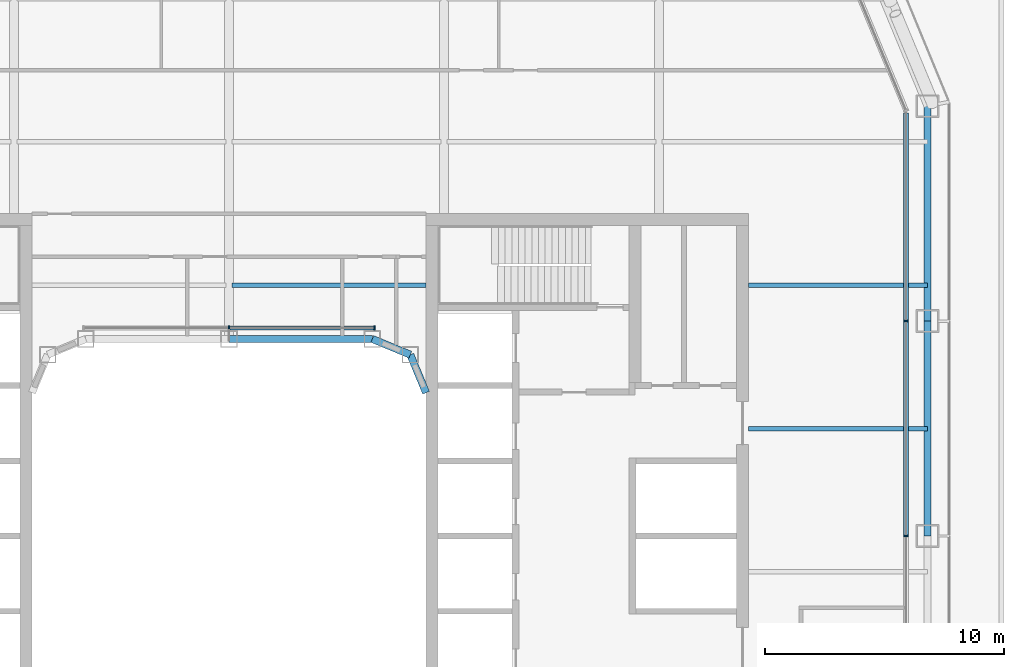
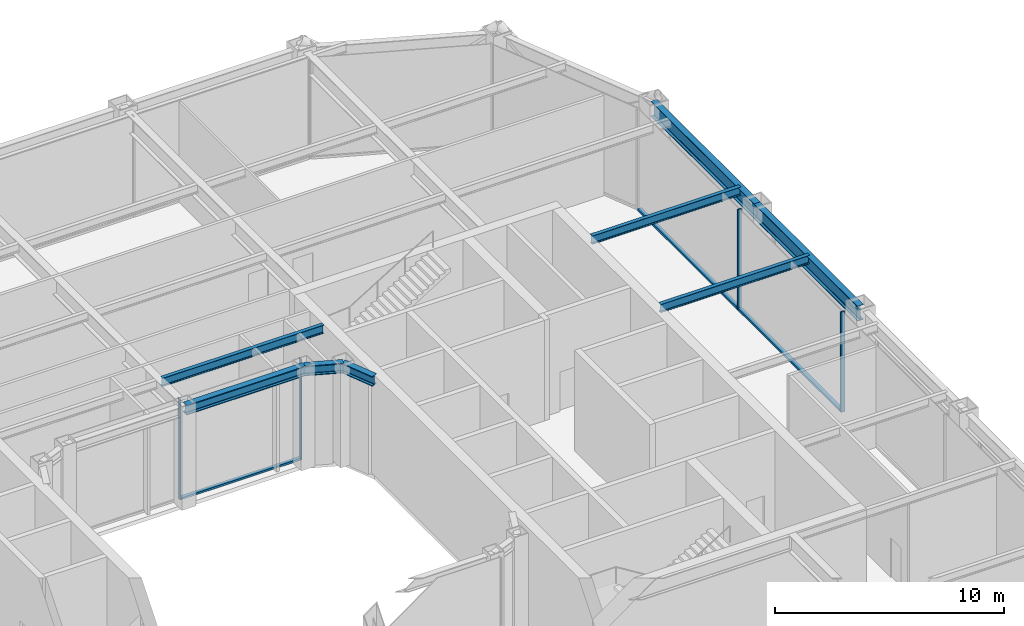
# One storey, part 8 of 21: 8 beams, 7 members, 2 elements without a shape of their own.
"""IFC4 building model written with IfcOpenShell, lengths in metres."""

from ifc_helpers import new_model, si_unit, direction, frame, origin, origin_2d, place, context, subcontext, project, spatial, rectangle, i_section, extrude, material, layer, layer_set, material_profile, profile_set, type_object, element, aggregate, save


model = new_model("IFC4")

# Units and contexts
model_context = context("Model", 3, precision=1e-05, world=origin(), true_north=direction((0.0, 1.0)))
body_context = subcontext(model_context, "Body", "Model", "MODEL_VIEW")
ifc_project = project(units=[si_unit("LENGTHUNIT", "METRE"), si_unit("AREAUNIT", "SQUARE_METRE"), si_unit("VOLUMEUNIT", "CUBIC_METRE"), si_unit("PLANEANGLEUNIT", "RADIAN"), si_unit("MASSUNIT", "GRAM", prefix="KILO")], contexts=[model_context])

# Site, building, storey
site_placement = place(None, origin())
site = spatial("IfcSite", under=ifc_project, at=site_placement, CompositionType="ELEMENT")
building_placement = place(site_placement, origin())
building = spatial("IfcBuilding", under=site, at=building_placement, Name="Siwar Civic Tower", CompositionType="ELEMENT")
storey_placement = place(building_placement, frame((0.0, 0.0, 99.199951171875)))
storey = spatial("IfcBuildingStorey", under=building, at=storey_placement, Name="L21", CompositionType="ELEMENT", Elevation=99.199951171875)

# Curtain wall, members
ifc_material_1 = material(Name="Aluminium and glass", Category="aluminium")
ifc_layer_1 = layer(ifc_material_1, 0.199951171875)
ifc_layer_set_1 = layer_set([ifc_layer_1], Name="Aluminium and glass")
curtain_wall_type_1 = type_object("IfcCurtainWallType", Name="ENV-CW-B", PredefinedType="NOTDEFINED", material=ifc_layer_set_1)
curtain_wall_1_placement = place(storey_placement, origin())
curtain_wall_1 = element("IfcCurtainWall", 1, at=curtain_wall_1_placement, inside=storey, type_object=curtain_wall_type_1, Name="Curtain wall B E", PredefinedType="NOTDEFINED")
ifc_material_2 = material(Name="Aluminium 6063-T6", Category="aluminium")
ifc_material_profile_1 = material_profile(ifc_material_2, rectangle(XDim=0.199951171875, YDim=0.06494140625, at=origin_2d()), Name="AL 200x65")
ifc_profile_set_1 = profile_set([ifc_material_profile_1], Name="Aluminium 6063-T6")
member_type_1 = type_object("IfcMemberType", Name="ENV-MULLION-B", PredefinedType="MULLION", material=ifc_profile_set_1)
member_1_placement = place(storey_placement, frame((28.35009765625, 0.0, 0.0), z_axis=(0.0, 0.0, 1.0), x_axis=(-1.0, 0.0, 0.0)))
member_1 = element("IfcMember", 2, at=member_1_placement, type_object=member_type_1, Name="Mullion B E 3", PredefinedType="MULLION", context=body_context, shape_type="SweptSolid", body=[
    extrude(rectangle(XDim=0.199951171875, YDim=0.06494140625, at=origin_2d()), origin(), (0.0, 0.0, 1.0), 5.35009765625),
])
member_2_placement = place(storey_placement, frame((28.35009765625, 9.0, 0.0), z_axis=(0.0, 0.0, 1.0), x_axis=(-1.0, 0.0, 0.0)))
member_2 = element("IfcMember", 3, at=member_2_placement, type_object=member_type_1, Name="Mullion B E 4", PredefinedType="MULLION", context=body_context, shape_type="SweptSolid", body=[
    extrude(rectangle(XDim=0.199951171875, YDim=0.06494140625, at=origin_2d()), origin(), (0.0, 0.0, 1.0), 5.35009765625),
])

ifc_material_3 = material(Name="Aluminium and glass", Category="aluminium")
ifc_layer_2 = layer(ifc_material_3, 0.179931640625)
ifc_layer_set_2 = layer_set([ifc_layer_2], Name="Aluminium and glass")
curtain_wall_type_2 = type_object("IfcCurtainWallType", Name="ENV-CW-W", PredefinedType="NOTDEFINED", material=ifc_layer_set_2)
curtain_wall_2_placement = place(storey_placement, origin())
curtain_wall_2 = element("IfcCurtainWall", 4, at=curtain_wall_2_placement, inside=storey, type_object=curtain_wall_type_2, Name="Curtain wall W WN", PredefinedType="NOTDEFINED")
ifc_material_4 = material(Name="Aluminium 6063-T6", Category="aluminium")
ifc_material_profile_2 = material_profile(ifc_material_4, rectangle(XDim=0.179931640625, YDim=0.06005859375, at=origin_2d()), Name="AL 180x60")
ifc_profile_set_2 = profile_set([ifc_material_profile_2], Name="Aluminium 6063-T6")
member_type_2 = type_object("IfcMemberType", Name="ENV-MULLION-W", PredefinedType="MULLION", material=ifc_profile_set_2)
member_3_placement = place(storey_placement, frame((6.091552734375, 8.7099609375, 0.0), z_axis=(0.0, 0.0, 1.0), x_axis=(0.0, -1.0, 0.0)))
member_3 = element("IfcMember", 5, at=member_3_placement, type_object=member_type_2, Name="Mullion W WN 1", PredefinedType="MULLION", context=body_context, shape_type="SweptSolid", body=[
    extrude(rectangle(XDim=0.179931640625, YDim=0.06005859375, at=origin_2d()), origin(), (0.0, 0.0, 1.0), 5.35009765625),
])
member_4_placement = place(storey_placement, frame((0.0, 8.7099609375, 0.0), z_axis=(0.0, 0.0, 1.0), x_axis=(0.0, -1.0, 0.0)))
member_4 = element("IfcMember", 6, at=member_4_placement, type_object=member_type_2, Name="Mullion W WN 2", PredefinedType="MULLION", context=body_context, shape_type="SweptSolid", body=[
    extrude(rectangle(XDim=0.179931640625, YDim=0.06005859375, at=origin_2d()), origin(), (0.0, 0.0, 1.0), 5.35009765625),
])

# Member
ifc_material_5 = material(Name="Aluminium 6063-T6", Category="aluminium")
ifc_material_profile_3 = material_profile(ifc_material_5, rectangle(XDim=0.199951171875, YDim=0.110107421875, at=origin_2d()), Name="AL 200x110")
ifc_profile_set_3 = profile_set([ifc_material_profile_3], Name="Aluminium 6063-T6")
member_type_3 = type_object("IfcMemberType", Name="ENV-TRANSOM-B", PredefinedType="USERDEFINED", material=ifc_profile_set_3)
member_5_placement = place(storey_placement, frame((28.35009765625, 0.032470703125, 0.054931640625), z_axis=(0.0, 1.0, 0.0), x_axis=(-1.0, 0.0, 0.0)))
member_5 = element("IfcMember", 7, at=member_5_placement, type_object=member_type_3, Name="Transom B E 3", ObjectType="TRANSOM", PredefinedType="USERDEFINED", context=body_context, shape_type="SweptSolid", body=[
    extrude(rectangle(XDim=0.199951171875, YDim=0.110107421875, at=origin_2d()), origin(), (0.0, 0.0, 1.0), 8.93505859375),
])

member_6_placement = place(storey_placement, frame((28.35009765625, 9.032470703125, 0.054931640625), z_axis=(0.0, 1.0, 0.0), x_axis=(-1.0, 0.0, 0.0)))
member_6 = element("IfcMember", 8, at=member_6_placement, type_object=member_type_3, Name="Transom B E 4", ObjectType="TRANSOM", PredefinedType="USERDEFINED", context=body_context, shape_type="SweptSolid", body=[
    extrude(rectangle(XDim=0.199951171875, YDim=0.110107421875, at=origin_2d()), origin(), (0.0, 0.0, 1.0), 8.6748046875),
])

aggregate(curtain_wall_1, [member_1, member_2, member_5, member_6])

ifc_material_6 = material(Name="Aluminium 6063-T6", Category="aluminium")
ifc_material_profile_4 = material_profile(ifc_material_6, rectangle(XDim=0.179931640625, YDim=0.10009765625, at=origin_2d()), Name="AL 180x100")
ifc_profile_set_4 = profile_set([ifc_material_profile_4], Name="Aluminium 6063-T6")
member_type_4 = type_object("IfcMemberType", Name="ENV-TRANSOM-W", PredefinedType="USERDEFINED", material=ifc_profile_set_4)
member_7_placement = place(storey_placement, frame((6.0615234375, 8.7099609375, 0.050048828125), z_axis=(-1.0, 0.0, 0.0), x_axis=(0.0, -1.0, 0.0)))
member_7 = element("IfcMember", 9, at=member_7_placement, type_object=member_type_4, Name="Transom W WN 1", ObjectType="TRANSOM", PredefinedType="USERDEFINED", context=body_context, shape_type="SweptSolid", body=[
    extrude(rectangle(XDim=0.179931640625, YDim=0.10009765625, at=origin_2d()), origin(), (0.0, 0.0, 1.0), 6.031494140625),
])

aggregate(curtain_wall_2, [member_3, member_4, member_7])

# Beams
ifc_material_7 = material(Name="Steel S355", Category="steel")
ifc_material_profile_5 = material_profile(ifc_material_7, i_section(OverallWidth=0.18994140625, OverallDepth=0.449951171875, WebThickness=0.009521484375, FlangeThickness=0.0146484375, FilletRadius=0.02099609375, at=origin_2d()), Name="IPE450")
ifc_profile_set_5 = profile_set([ifc_material_profile_5], Name="Steel S355")
beam_type_1 = type_object("IfcBeamType", Name="STR-FB-IPE450", PredefinedType="JOIST", material=ifc_profile_set_5)
beam_1_placement = place(storey_placement, frame((21.75, 4.5, 5.125), z_axis=(1.0, 0.0, 0.0), x_axis=(0.0, 1.0, 0.0)))
element("IfcBeam", 10, at=beam_1_placement, inside=storey, type_object=beam_type_1, Name="L21/bm/F026", PredefinedType="JOIST", context=body_context, shape_type="SweptSolid", body=[
    extrude(i_section(OverallWidth=0.18994140625, OverallDepth=0.449951171875, WebThickness=0.009521484375, FlangeThickness=0.0146484375, FilletRadius=0.02099609375, at=origin_2d()), origin(), (0.0, 0.0, 1.0), 7.5),
])
beam_2_placement = place(storey_placement, frame((0.1298828125, 10.5, 5.125), z_axis=(1.0, 0.0, 0.0), x_axis=(0.0, 1.0, 0.0)))
element("IfcBeam", 11, at=beam_2_placement, inside=storey, type_object=beam_type_1, Name="L21/bm/F029", PredefinedType="JOIST", context=body_context, shape_type="SweptSolid", body=[
    extrude(i_section(OverallWidth=0.18994140625, OverallDepth=0.449951171875, WebThickness=0.009521484375, FlangeThickness=0.0146484375, FilletRadius=0.02099609375, at=origin_2d()), origin(), (0.0, 0.0, 1.0), 8.1201171875),
])
beam_3_placement = place(storey_placement, frame((21.75, 10.5, 5.125), z_axis=(1.0, 0.0, 0.0), x_axis=(0.0, 1.0, 0.0)))
element("IfcBeam", 12, at=beam_3_placement, inside=storey, type_object=beam_type_1, Name="L21/bm/F030", PredefinedType="JOIST", context=body_context, shape_type="SweptSolid", body=[
    extrude(i_section(OverallWidth=0.18994140625, OverallDepth=0.449951171875, WebThickness=0.009521484375, FlangeThickness=0.0146484375, FilletRadius=0.02099609375, at=origin_2d()), origin(), (0.0, 0.0, 1.0), 7.5),
])
ifc_material_8 = material(Name="Steel S355", Category="steel")
ifc_material_profile_6 = material_profile(ifc_material_8, i_section(OverallWidth=0.305908203125, OverallDepth=0.52392578125, WebThickness=0.02099609375, FlangeThickness=0.0400390625, FilletRadius=0.027099609375, at=origin_2d()), Name="HEM500")
ifc_profile_set_6 = profile_set([ifc_material_profile_6], Name="Steel S355")
beam_type_2 = type_object("IfcBeamType", Name="STR-RB-HEM500", PredefinedType="BEAM", material=ifc_profile_set_6)
beam_4_placement = place(storey_placement, frame((0.0, 8.25, 5.088134765625), z_axis=(1.0, 0.0, 0.0), x_axis=(0.0, 1.0, 0.0)))
element("IfcBeam", 13, at=beam_4_placement, inside=storey, type_object=beam_type_2, Name="L21/bm/RN2", PredefinedType="BEAM", context=body_context, shape_type="SweptSolid", body=[
    extrude(i_section(OverallWidth=0.305908203125, OverallDepth=0.52392578125, WebThickness=0.02099609375, FlangeThickness=0.0400390625, FilletRadius=0.027099609375, at=origin_2d()), origin(), (0.0, 0.0, 1.0), 6.0),
])
for number, where, z_axis, x_axis, name in (
    (14, (6.0, 8.25, 5.088134765625), (0.923901072997, -0.382631424892, 0.0), (0.382631424892, 0.923901072997, 0.0), "L21/bm/RN3"),
    (15, (7.591064453125, 7.591064453125, 5.088134765625), (0.382631424892, -0.923901072997, 0.0), (0.923901072997, 0.382631424892, 0.0), "L21/bm/RNEE"),
):
    element("IfcBeam", number, at=place(storey_placement, frame(where, z_axis=z_axis, x_axis=x_axis)), inside=storey, type_object=beam_type_2, Name=name, PredefinedType="BEAM", context=body_context, shape_type="SweptSolid", body=[
        extrude(i_section(OverallWidth=0.305908203125, OverallDepth=0.52392578125, WebThickness=0.02099609375, FlangeThickness=0.0400390625, FilletRadius=0.027099609375, at=origin_2d()), origin(), (0.0, 0.0, 1.0), 1.72216796875),
    ])
ifc_material_9 = material(Name="Steel S355", Category="steel")
ifc_material_profile_7 = material_profile(ifc_material_9, i_section(OverallWidth=0.300048828125, OverallDepth=0.800048828125, WebThickness=0.017578125, FlangeThickness=0.032958984375, FilletRadius=0.030029296875, at=origin_2d()), Name="HEB800")
ifc_profile_set_7 = profile_set([ifc_material_profile_7], Name="Steel S355")
beam_type_3 = type_object("IfcBeamType", Name="STR-SB-HEB800", PredefinedType="BEAM", material=ifc_profile_set_7)
for number, where, z_axis, x_axis, name in (
    (16, (29.25, 0.0, 4.949951171875), (0.0, 1.0, 0.0), (-1.0, 0.0, 0.0), "L21/bm/SE-2"),
    (17, (29.25, 9.0, 4.949951171875), (0.0, 1.0, 0.0), (-1.0, 0.0, 0.0), "L21/bm/SE-3"),
):
    element("IfcBeam", number, at=place(storey_placement, frame(where, z_axis=z_axis, x_axis=x_axis)), inside=storey, type_object=beam_type_3, Name=name, PredefinedType="BEAM", context=body_context, shape_type="SweptSolid", body=[
        extrude(i_section(OverallWidth=0.300048828125, OverallDepth=0.800048828125, WebThickness=0.017578125, FlangeThickness=0.032958984375, FilletRadius=0.030029296875, at=origin_2d()), origin(), (0.0, 0.0, 1.0), 9.0),
    ])

save(model, "model.ifc")
